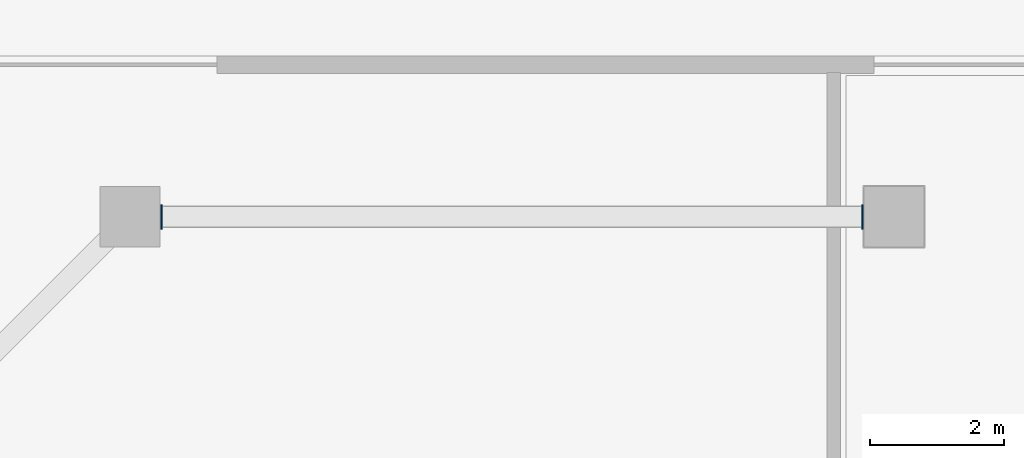
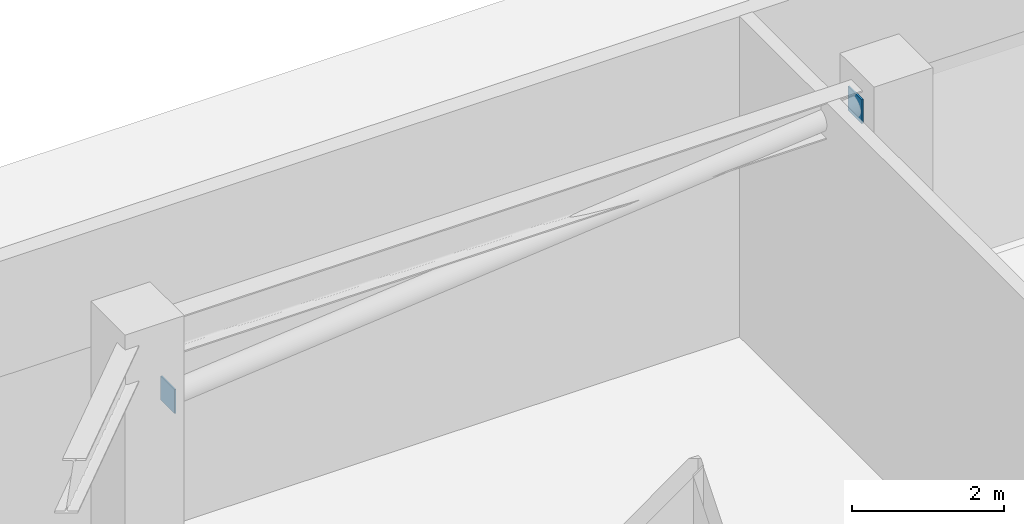
# One storey, part 8 of 20: 2 plates.
"""IFC4 building model written with IfcOpenShell, lengths in metres."""

from ifc_helpers import new_model, si_unit, direction, frame, origin, origin_2d, place, context, subcontext, project, spatial, rectangle, extrude, material, layer, layer_set, type_object, element, save


model = new_model("IFC4")

# Units and contexts
model_context = context("Model", 3, precision=1e-05, world=origin(), true_north=direction((0.0, 1.0)))
body_context = subcontext(model_context, "Body", "Model", "MODEL_VIEW")
ifc_project = project(units=[si_unit("LENGTHUNIT", "METRE"), si_unit("AREAUNIT", "SQUARE_METRE"), si_unit("VOLUMEUNIT", "CUBIC_METRE"), si_unit("PLANEANGLEUNIT", "RADIAN"), si_unit("MASSUNIT", "GRAM", prefix="KILO")], contexts=[model_context])

# Site, building, storey
site_placement = place(None, origin())
site = spatial("IfcSite", under=ifc_project, at=site_placement, CompositionType="ELEMENT")
building_placement = place(site_placement, origin())
building = spatial("IfcBuilding", under=site, at=building_placement, Name="Haolan Belvedere Tower", CompositionType="ELEMENT")
storey_placement = place(building_placement, origin())
storey = spatial("IfcBuildingStorey", under=building, at=storey_placement, Name="L00", CompositionType="ELEMENT", Elevation=0.0)

# Plates
ifc_material = material(Name="Steel Q355B", Category="steel")
ifc_layer = layer(ifc_material, 0.02490234375, Name="Steel Q355B")
ifc_layer_set = layer_set([ifc_layer], Name="Steel Q355B")
plate_type = type_object("IfcPlateType", Name="PL-CAP-25", PredefinedType="SHEET", material=ifc_layer_set)
for number, where, z_axis, x_axis, name in (
    (1, (59.267578125, 51.60009765625, 3.65625), (0.0, 0.0, 1.0), (0.0, -1.0, 0.0), "Hollow steel end-cap plate CAN-STRUT-L00-6-CAP0"),
    (2, (69.732421875, 51.60009765625, 4.65869140625), (0.0, 0.0, 1.0), (0.0, 1.0, 0.0), "Hollow steel end-cap plate CAN-STRUT-L00-6-CAP1"),
):
    element("IfcPlate", number, at=place(storey_placement, frame(where, z_axis=z_axis, x_axis=x_axis)), inside=storey, type_object=plate_type, Name=name, PredefinedType="SHEET", context=body_context, shape_type="SweptSolid", body=[
        extrude(rectangle(XDim=0.364990234375, YDim=0.02490234375, at=origin_2d()), origin(), (0.0, 0.0, 1.0), 0.385009765625),
    ])

save(model, "model.ifc")
